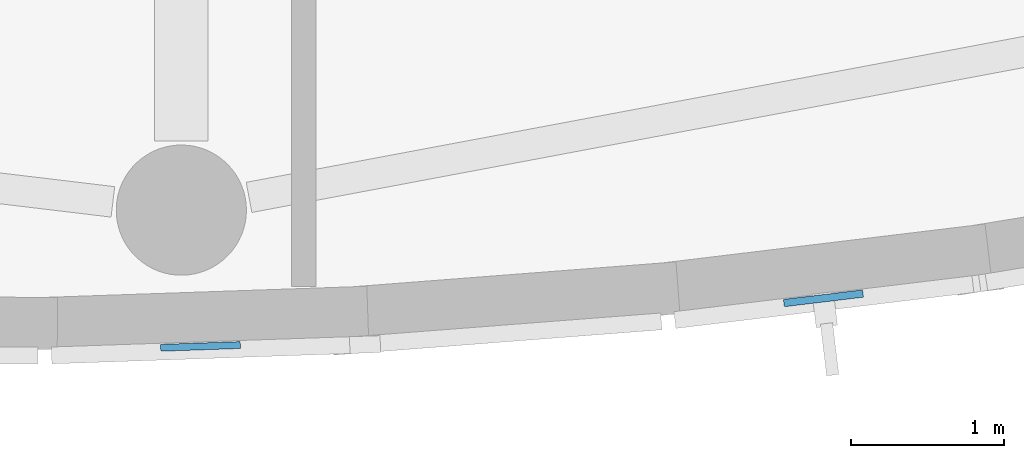
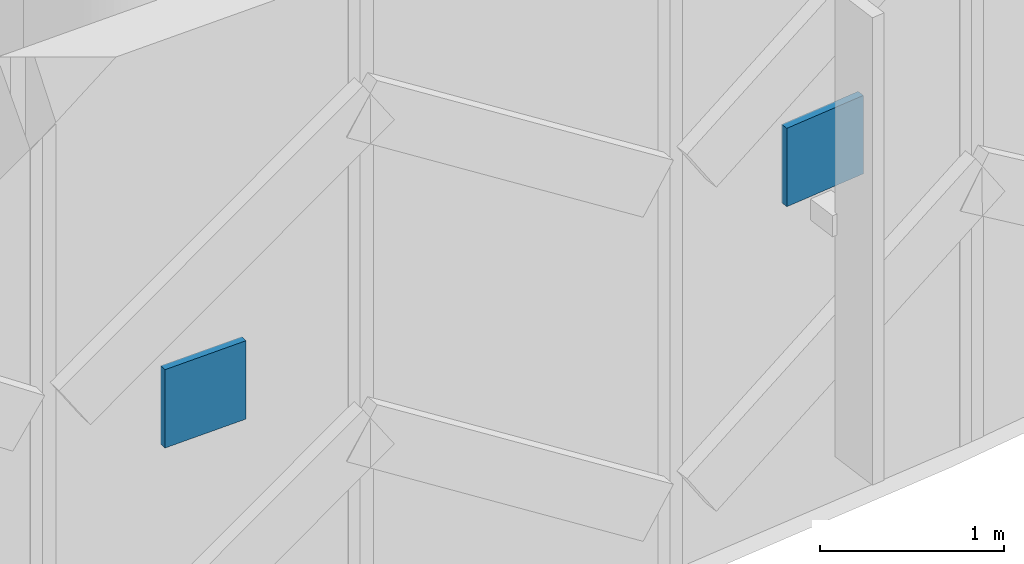
# One storey, part 136 of 220: 2 plates.
"""IFC4 building model written with IfcOpenShell, lengths in metres."""

from ifc_helpers import new_model, si_unit, direction, frame, origin, origin_2d, place, context, subcontext, project, spatial, rectangle, extrude, material, layer, layer_set, type_object, element, save


model = new_model("IFC4")

# Units and contexts
model_context = context("Model", 3, precision=1e-05, world=origin(), true_north=direction((0.0, 1.0)))
body_context = subcontext(model_context, "Body", "Model", "MODEL_VIEW")
ifc_project = project(units=[si_unit("LENGTHUNIT", "METRE"), si_unit("AREAUNIT", "SQUARE_METRE"), si_unit("VOLUMEUNIT", "CUBIC_METRE"), si_unit("PLANEANGLEUNIT", "RADIAN"), si_unit("MASSUNIT", "GRAM", prefix="KILO")], contexts=[model_context])

# Site, building, storey
site_placement = place(None, origin())
site = spatial("IfcSite", under=ifc_project, at=site_placement, CompositionType="ELEMENT")
building_placement = place(site_placement, origin())
building = spatial("IfcBuilding", under=site, at=building_placement, Name="Cendralis Lancet Convention Centre", CompositionType="ELEMENT")
storey_placement = place(building_placement, frame((0.0, 0.0, 5.39990234375)))
storey = spatial("IfcBuildingStorey", under=building, at=storey_placement, Name="L01", CompositionType="ELEMENT", Elevation=5.39990234375)

# Plates
ifc_material_1 = material(Name="Warm buff sandstone chevron cassette", Category="masonry")
ifc_layer_1 = layer(ifc_material_1, 0.044921875, Name="Warm buff sandstone chevron cassette")
ifc_layer_set_1 = layer_set([ifc_layer_1], Name="Warm buff sandstone chevron cassette")
plate_type_1 = type_object("IfcPlateType", Name="ARC-PL-CHV3", PredefinedType="SHEET", material=ifc_layer_set_1)
plate_1_placement = place(storey_placement, frame((57.725341796875, 0.30517578125, 2.1201171875), z_axis=(0.0, 0.0, 1.0), x_axis=(0.999403551225, 0.034533198497, 0.0)))
element("IfcPlate", 1, at=plate_1_placement, inside=storey, type_object=plate_type_1, Name="Chevron Keystone Cassette CHV-S2 #0043", PredefinedType="SHEET", context=body_context, shape_type="SweptSolid", body=[
    extrude(rectangle(XDim=0.52001953125, YDim=0.044921875, at=origin_2d()), origin(), (0.0, 0.0, 1.0), 0.52001953125),
])
ifc_material_2 = material(Name="Dark Andean slate chevron cassette", Category="masonry")
ifc_layer_2 = layer(ifc_material_2, 0.048095703125, Name="Dark Andean slate chevron cassette")
ifc_layer_set_2 = layer_set([ifc_layer_2], Name="Dark Andean slate chevron cassette")
plate_type_2 = type_object("IfcPlateType", Name="ARC-PL-CHV4", PredefinedType="SHEET", material=ifc_layer_set_2)
plate_2_placement = place(storey_placement, frame((61.79150390625, 0.619384765625, 2.1201171875), z_axis=(0.0, 0.0, 1.0), x_axis=(0.992818021481, 0.119634343823, 0.0)))
element("IfcPlate", 2, at=plate_2_placement, inside=storey, type_object=plate_type_2, Name="Chevron Keystone Cassette CHV-D2 #0046", PredefinedType="SHEET", context=body_context, shape_type="SweptSolid", body=[
    extrude(rectangle(XDim=0.52001953125, YDim=0.048095703125, at=origin_2d()), origin(), (0.0, 0.0, 1.0), 0.52001953125),
])

save(model, "model.ifc")
